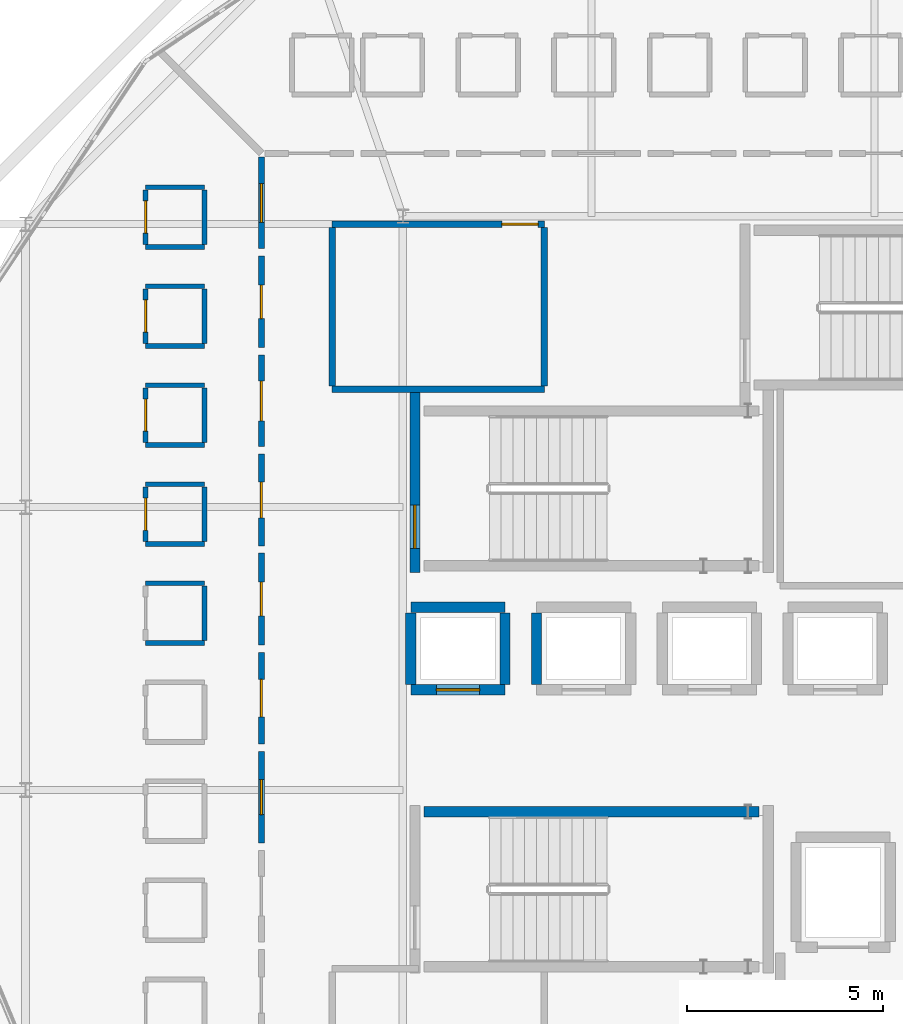
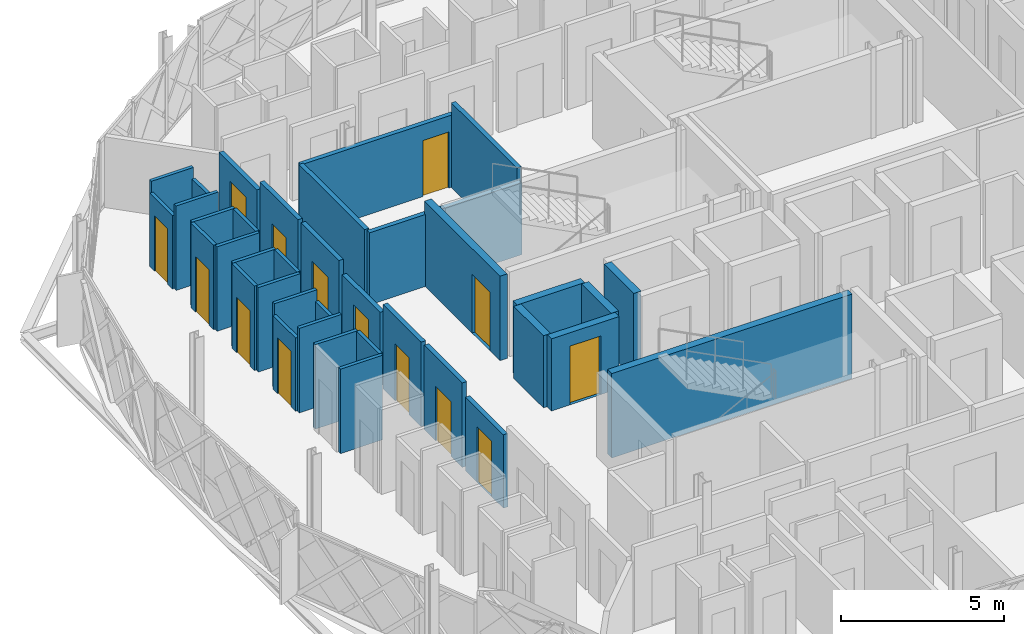
# One storey, part 15 of 24: 37 walls, 14 doors, 14 openings.
"""IFC4 building model written with IfcOpenShell, lengths in metres."""

from ifc_helpers import new_model, si_unit, direction, frame, frame_2d, origin, place, context, subcontext, project, spatial, rectangle, extrude, material, layer, layer_set, type_object, element, fill, save


model = new_model("IFC4")

# Units and contexts
model_context = context("Model", 3, precision=1e-05, world=origin(), true_north=direction((0.0, 1.0)))
body_context = subcontext(model_context, "Body", "Model", "MODEL_VIEW")
ifc_project = project(units=[si_unit("LENGTHUNIT", "METRE"), si_unit("AREAUNIT", "SQUARE_METRE"), si_unit("VOLUMEUNIT", "CUBIC_METRE"), si_unit("PLANEANGLEUNIT", "RADIAN"), si_unit("MASSUNIT", "GRAM", prefix="KILO")], contexts=[model_context])

# Site, building, storey
site_placement = place(None, origin())
site = spatial("IfcSite", under=ifc_project, at=site_placement, CompositionType="ELEMENT")
building_placement = place(site_placement, origin())
building = spatial("IfcBuilding", under=site, at=building_placement, Name="Zevrakil Square Congress Hotel", CompositionType="ELEMENT")
storey_placement = place(building_placement, frame((0.0, 0.0, 35.10009765625)))
storey = spatial("IfcBuildingStorey", under=building, at=storey_placement, Name="L10", CompositionType="ELEMENT", Elevation=35.10009765625)

# Wall
ifc_material_1 = material(Name="Gypsum Acoustic Stud Partition")
ifc_layer_1 = layer(ifc_material_1, 0.159912109375)
ifc_layer_set_1 = layer_set([ifc_layer_1], Name="Gypsum Acoustic Stud Partition")
wall_type_1 = type_object("IfcWallType", Name="WAL-CORR-160", PredefinedType="PARTITIONING", material=ifc_layer_set_1)
wall_1_placement = place(storey_placement, frame((135.0, 34.199951171875, 0.0), z_axis=(0.0, 0.0, 1.0), x_axis=(1.0, 0.0, 0.0)))
element("IfcWall", 1, at=wall_1_placement, inside=storey, type_object=wall_type_1, Name="L10 interior partition PW-L10-1568", PredefinedType="PARTITIONING", context=body_context, shape_type="SweptSolid", body=[
    extrude(rectangle(XDim=5.39990234375, YDim=0.159912109375, at=frame_2d((2.699951171875, 0.0))), origin(), (0.0, 0.0, 1.0), 2.699951171875),
])

# Wall, opening, door
wall_2_placement = place(storey_placement, frame((135.0, 38.39990234375, 0.0), z_axis=(0.0, 0.0, 1.0), x_axis=(1.0, 0.0, 0.0)))
wall_2 = element("IfcWall", 2, at=wall_2_placement, inside=storey, type_object=wall_type_1, Name="L10 interior partition PW-L10-1569", PredefinedType="PARTITIONING", context=body_context, shape_type="SweptSolid", body=[
    extrude(rectangle(XDim=5.39990234375, YDim=0.159912109375, at=frame_2d((2.699951171875, 0.0))), origin(), (0.0, 0.0, 1.0), 2.699951171875),
])
opening_1_placement = place(wall_2_placement, frame((4.320068359375, 0.0, 0.0)))
opening_1 = element("IfcOpeningElement", 3, at=opening_1_placement, cuts=wall_2, Name="Opening ID-07", PredefinedType="OPENING", context=body_context, shape_type="SweptSolid", body=[
    extrude(rectangle(XDim=0.919921875, YDim=2.10009765625, at=frame_2d((0.4599609375, 1.050048828125))), frame((0.0, 0.08984375, 0.0), z_axis=(0.0, -1.0, 0.0), x_axis=(1.0, 0.0, 0.0)), (0.0, 0.0, 1.0), 0.179931640625),
])
ifc_material_2 = material(Name="Accessible Restroom Door")
door_type_1 = type_object("IfcDoorType", Name="DOR-WC-092", OperationType="NOTDEFINED", PredefinedType="DOOR", material=ifc_material_2)
door_1_placement = place(opening_1_placement, origin())
door_1 = element("IfcDoor", 4, at=door_1_placement, inside=storey, type_object=door_type_1, Name="L10 interior door 611", OperationType="SINGLE_SWING_LEFT", OverallHeight=2.10009765625, OverallWidth=0.919921875, PredefinedType="DOOR", context=body_context, shape_type="SweptSolid", body=[
    extrude(rectangle(XDim=0.919921875, YDim=2.10009765625, at=frame_2d((0.4599609375, 1.050048828125))), frame((0.0, 0.02490234375, 0.0), z_axis=(0.0, -1.0, 0.0), x_axis=(1.0, 0.0, 0.0)), (0.0, 0.0, 1.0), 0.050048828125),
])
fill(opening_1, door_1)

# Walls
wall_3_placement = place(storey_placement, frame((135.0, 34.284912109375, 0.0), z_axis=(0.0, 0.0, 1.0), x_axis=(0.0, 1.0, 0.0)))
element("IfcWall", 5, at=wall_3_placement, inside=storey, type_object=wall_type_1, Name="L10 interior partition PW-L10-1570", PredefinedType="PARTITIONING", context=body_context, shape_type="SweptSolid", body=[
    extrude(rectangle(XDim=4.030029296875, YDim=0.159912109375, at=frame_2d((2.01513671875, 0.0))), origin(), (0.0, 0.0, 1.0), 2.75),
])
wall_4_placement = place(storey_placement, frame((140.39990234375, 34.284912109375, 0.0), z_axis=(0.0, 0.0, 1.0), x_axis=(0.0, 1.0, 0.0)))
element("IfcWall", 6, at=wall_4_placement, inside=storey, type_object=wall_type_1, Name="L10 interior partition PW-L10-1571", PredefinedType="PARTITIONING", context=body_context, shape_type="SweptSolid", body=[
    extrude(rectangle(XDim=4.030029296875, YDim=0.159912109375, at=frame_2d((2.01513671875, 0.0))), origin(), (0.0, 0.0, 1.0), 3.164794921875),
])

# Wall, opening, door
wall_5_placement = place(storey_placement, frame((133.199951171875, 37.77490234375, 0.0), z_axis=(0.0, 0.0, 1.0), x_axis=(0.0, 1.0, 0.0)))
wall_5 = element("IfcWall", 7, at=wall_5_placement, inside=storey, type_object=wall_type_1, Name="L10 interior partition PW-L10-1727", PredefinedType="PARTITIONING", context=body_context, shape_type="SweptSolid", body=[
    extrude(rectangle(XDim=2.330078125, YDim=0.159912109375, at=frame_2d((1.1650390625, 0.0))), origin(), (0.0, 0.0, 1.0), 2.75),
])
opening_2_placement = place(wall_5_placement, frame((0.673095703125, 0.0, 0.0)))
opening_2 = element("IfcOpeningElement", 8, at=opening_2_placement, cuts=wall_5, Name="Opening ID-H12", PredefinedType="OPENING", context=body_context, shape_type="SweptSolid", body=[
    extrude(rectangle(XDim=0.98388671875, YDim=2.070068359375, at=frame_2d((0.491943359375, 1.03515625))), frame((0.0, 0.08984375, 0.0), z_axis=(0.0, -1.0, 0.0), x_axis=(1.0, 0.0, 0.0)), (0.0, 0.0, 1.0), 0.179931640625),
])
ifc_material_3 = material(Name="Acoustic Timber Fire Door", Category="wood")
door_type_2 = type_object("IfcDoorType", Name="DOR-INT-H12", OperationType="NOTDEFINED", PredefinedType="DOOR", material=ifc_material_3)
door_2_placement = place(opening_2_placement, origin())
door_2 = element("IfcDoor", 9, at=door_2_placement, inside=storey, type_object=door_type_2, Name="L10 interior door 671", OperationType="SINGLE_SWING_LEFT", OverallHeight=2.070068359375, OverallWidth=0.98388671875, PredefinedType="DOOR", context=body_context, shape_type="SweptSolid", body=[
    extrude(rectangle(XDim=0.98388671875, YDim=2.070068359375, at=frame_2d((0.491943359375, 1.03515625))), frame((0.0, 0.02490234375, 0.0), z_axis=(0.0, -1.0, 0.0), x_axis=(1.0, 0.0, 0.0)), (0.0, 0.0, 1.0), 0.050048828125),
])
fill(opening_2, door_2)

wall_6_placement = place(storey_placement, frame((133.199951171875, 35.2548828125, 0.0), z_axis=(0.0, 0.0, 1.0), x_axis=(0.0, 1.0, 0.0)))
wall_6 = element("IfcWall", 10, at=wall_6_placement, inside=storey, type_object=wall_type_1, Name="L10 interior partition PW-L10-1732", PredefinedType="PARTITIONING", context=body_context, shape_type="SweptSolid", body=[
    extrude(rectangle(XDim=2.330078125, YDim=0.159912109375, at=frame_2d((1.1650390625, 0.0))), origin(), (0.0, 0.0, 1.0), 3.164794921875),
])
opening_3_placement = place(wall_6_placement, frame((0.737548828125, 0.0, 0.0)))
opening_3 = element("IfcOpeningElement", 11, at=opening_3_placement, cuts=wall_6, Name="Opening ID-G01", PredefinedType="OPENING", context=body_context, shape_type="SweptSolid", body=[
    extrude(rectangle(XDim=0.85498046875, YDim=2.050048828125, at=frame_2d((0.427490234375, 1.02490234375))), frame((0.0, 0.08984375, 0.0), z_axis=(0.0, -1.0, 0.0), x_axis=(1.0, 0.0, 0.0)), (0.0, 0.0, 1.0), 0.179931640625),
])
ifc_material_4 = material(Name="Acoustic Timber Fire Door", Category="wood")
door_type_3 = type_object("IfcDoorType", Name="DOR-INT-G01", OperationType="NOTDEFINED", PredefinedType="DOOR", material=ifc_material_4)
door_3_placement = place(opening_3_placement, origin())
door_3 = element("IfcDoor", 12, at=door_3_placement, inside=storey, type_object=door_type_3, Name="L10 interior door 673", OperationType="SINGLE_SWING_LEFT", OverallHeight=2.050048828125, OverallWidth=0.85498046875, PredefinedType="DOOR", context=body_context, shape_type="SweptSolid", body=[
    extrude(rectangle(XDim=0.85498046875, YDim=2.050048828125, at=frame_2d((0.427490234375, 1.02490234375))), frame((0.0, 0.02490234375, 0.0), z_axis=(0.0, -1.0, 0.0), x_axis=(1.0, 0.0, 0.0)), (0.0, 0.0, 1.0), 0.050048828125),
])
fill(opening_3, door_3)

wall_7_placement = place(storey_placement, frame((133.199951171875, 32.735107421875, 0.0), z_axis=(0.0, 0.0, 1.0), x_axis=(0.0, 1.0, 0.0)))
wall_7 = element("IfcWall", 13, at=wall_7_placement, inside=storey, type_object=wall_type_1, Name="L10 interior partition PW-L10-1737", PredefinedType="PARTITIONING", context=body_context, shape_type="SweptSolid", body=[
    extrude(rectangle(XDim=2.329833984375, YDim=0.159912109375, at=frame_2d((1.1650390625, 0.0))), origin(), (0.0, 0.0, 1.0), 3.164794921875),
])
opening_4_placement = place(wall_7_placement, frame((0.660888671875, 0.0, 0.0)))
opening_4 = element("IfcOpeningElement", 14, at=opening_4_placement, cuts=wall_7, Name="Opening ID-H14", PredefinedType="OPENING", context=body_context, shape_type="SweptSolid", body=[
    extrude(rectangle(XDim=1.008056640625, YDim=2.1298828125, at=frame_2d((0.50390625, 1.06494140625))), frame((0.0, 0.08984375, 0.0), z_axis=(0.0, -1.0, 0.0), x_axis=(1.0, 0.0, 0.0)), (0.0, 0.0, 1.0), 0.179931640625),
])
ifc_material_5 = material(Name="Acoustic Timber Fire Door", Category="wood")
door_type_4 = type_object("IfcDoorType", Name="DOR-INT-H14", OperationType="NOTDEFINED", PredefinedType="DOOR", material=ifc_material_5)
door_4_placement = place(opening_4_placement, origin())
door_4 = element("IfcDoor", 15, at=door_4_placement, inside=storey, type_object=door_type_4, Name="L10 interior door 675", OperationType="SINGLE_SWING_LEFT", OverallHeight=2.1298828125, OverallWidth=1.008056640625, PredefinedType="DOOR", context=body_context, shape_type="SweptSolid", body=[
    extrude(rectangle(XDim=1.008056640625, YDim=2.1298828125, at=frame_2d((0.50390625, 1.06494140625))), frame((0.0, 0.02490234375, 0.0), z_axis=(0.0, -1.0, 0.0), x_axis=(1.0, 0.0, 0.0)), (0.0, 0.0, 1.0), 0.050048828125),
])
fill(opening_4, door_4)

wall_8_placement = place(storey_placement, frame((133.199951171875, 30.215087890625, 0.0), z_axis=(0.0, 0.0, 1.0), x_axis=(0.0, 1.0, 0.0)))
wall_8 = element("IfcWall", 16, at=wall_8_placement, inside=storey, type_object=wall_type_1, Name="L10 interior partition PW-L10-1742", PredefinedType="PARTITIONING", context=body_context, shape_type="SweptSolid", body=[
    extrude(rectangle(XDim=2.329833984375, YDim=0.159912109375, at=frame_2d((1.1650390625, 0.0))), origin(), (0.0, 0.0, 1.0), 2.75),
])
opening_5_placement = place(wall_8_placement, frame((0.71240234375, 0.0, 0.0)))
opening_5 = element("IfcOpeningElement", 17, at=opening_5_placement, cuts=wall_8, Name="Opening ID-G03", PredefinedType="OPENING", context=body_context, shape_type="SweptSolid", body=[
    extrude(rectangle(XDim=0.905029296875, YDim=2.050048828125, at=frame_2d((0.45263671875, 1.02490234375))), frame((0.0, 0.08984375, 0.0), z_axis=(0.0, -1.0, 0.0), x_axis=(1.0, 0.0, 0.0)), (0.0, 0.0, 1.0), 0.179931640625),
])
ifc_material_6 = material(Name="Acoustic Timber Fire Door", Category="wood")
door_type_5 = type_object("IfcDoorType", Name="DOR-INT-G03", OperationType="NOTDEFINED", PredefinedType="DOOR", material=ifc_material_6)
door_5_placement = place(opening_5_placement, origin())
door_5 = element("IfcDoor", 18, at=door_5_placement, inside=storey, type_object=door_type_5, Name="L10 interior door 677", OperationType="SINGLE_SWING_LEFT", OverallHeight=2.050048828125, OverallWidth=0.905029296875, PredefinedType="DOOR", context=body_context, shape_type="SweptSolid", body=[
    extrude(rectangle(XDim=0.905029296875, YDim=2.050048828125, at=frame_2d((0.45263671875, 1.02490234375))), frame((0.0, 0.02490234375, 0.0), z_axis=(0.0, -1.0, 0.0), x_axis=(1.0, 0.0, 0.0)), (0.0, 0.0, 1.0), 0.050048828125),
])
fill(opening_5, door_5)

wall_9_placement = place(storey_placement, frame((133.199951171875, 27.695068359375, 0.0), z_axis=(0.0, 0.0, 1.0), x_axis=(0.0, 1.0, 0.0)))
wall_9 = element("IfcWall", 19, at=wall_9_placement, inside=storey, type_object=wall_type_1, Name="L10 interior partition PW-L10-1747", PredefinedType="PARTITIONING", context=body_context, shape_type="SweptSolid", body=[
    extrude(rectangle(XDim=2.329833984375, YDim=0.159912109375, at=frame_2d((1.1650390625, 0.0))), origin(), (0.0, 0.0, 1.0), 3.164794921875),
])
opening_6_placement = place(wall_9_placement, frame((0.73291015625, 0.0, 0.0)))
opening_6 = element("IfcOpeningElement", 20, at=opening_6_placement, cuts=wall_9, Name="Opening ID-H02", PredefinedType="OPENING", context=body_context, shape_type="SweptSolid", body=[
    extrude(rectangle(XDim=0.864013671875, YDim=2.1298828125, at=frame_2d((0.43212890625, 1.06494140625))), frame((0.0, 0.08984375, 0.0), z_axis=(0.0, -1.0, 0.0), x_axis=(1.0, 0.0, 0.0)), (0.0, 0.0, 1.0), 0.179931640625),
])
ifc_material_7 = material(Name="Acoustic Timber Fire Door", Category="wood")
door_type_6 = type_object("IfcDoorType", Name="DOR-INT-H02", OperationType="NOTDEFINED", PredefinedType="DOOR", material=ifc_material_7)
door_6_placement = place(opening_6_placement, origin())
door_6 = element("IfcDoor", 21, at=door_6_placement, inside=storey, type_object=door_type_6, Name="L10 interior door 679", OperationType="SINGLE_SWING_LEFT", OverallHeight=2.1298828125, OverallWidth=0.864013671875, PredefinedType="DOOR", context=body_context, shape_type="SweptSolid", body=[
    extrude(rectangle(XDim=0.864013671875, YDim=2.1298828125, at=frame_2d((0.43212890625, 1.06494140625))), frame((0.0, 0.02490234375, 0.0), z_axis=(0.0, -1.0, 0.0), x_axis=(1.0, 0.0, 0.0)), (0.0, 0.0, 1.0), 0.050048828125),
])
fill(opening_6, door_6)

wall_10_placement = place(storey_placement, frame((133.199951171875, 25.175048828125, 0.0), z_axis=(0.0, 0.0, 1.0), x_axis=(0.0, 1.0, 0.0)))
wall_10 = element("IfcWall", 22, at=wall_10_placement, inside=storey, type_object=wall_type_1, Name="L10 interior partition PW-L10-1752", PredefinedType="PARTITIONING", context=body_context, shape_type="SweptSolid", body=[
    extrude(rectangle(XDim=2.329833984375, YDim=0.159912109375, at=frame_2d((1.1650390625, 0.0))), origin(), (0.0, 0.0, 1.0), 3.164794921875),
])
opening_7_placement = place(wall_10_placement, frame((0.6875, 0.0, 0.0)))
opening_7 = element("IfcOpeningElement", 23, at=opening_7_placement, cuts=wall_10, Name="Opening ID-G05", PredefinedType="OPENING", context=body_context, shape_type="SweptSolid", body=[
    extrude(rectangle(XDim=0.955078125, YDim=2.050048828125, at=frame_2d((0.4775390625, 1.02490234375))), frame((0.0, 0.08984375, 0.0), z_axis=(0.0, -1.0, 0.0), x_axis=(1.0, 0.0, 0.0)), (0.0, 0.0, 1.0), 0.179931640625),
])
ifc_material_8 = material(Name="Acoustic Timber Fire Door", Category="wood")
door_type_7 = type_object("IfcDoorType", Name="DOR-INT-G05", OperationType="NOTDEFINED", PredefinedType="DOOR", material=ifc_material_8)
door_7_placement = place(opening_7_placement, origin())
door_7 = element("IfcDoor", 24, at=door_7_placement, inside=storey, type_object=door_type_7, Name="L10 interior door 681", OperationType="SINGLE_SWING_LEFT", OverallHeight=2.050048828125, OverallWidth=0.955078125, PredefinedType="DOOR", context=body_context, shape_type="SweptSolid", body=[
    extrude(rectangle(XDim=0.955078125, YDim=2.050048828125, at=frame_2d((0.4775390625, 1.02490234375))), frame((0.0, 0.02490234375, 0.0), z_axis=(0.0, -1.0, 0.0), x_axis=(1.0, 0.0, 0.0)), (0.0, 0.0, 1.0), 0.050048828125),
])
fill(opening_7, door_7)

wall_11_placement = place(storey_placement, frame((133.199951171875, 22.655029296875, 0.0), z_axis=(0.0, 0.0, 1.0), x_axis=(0.0, 1.0, 0.0)))
wall_11 = element("IfcWall", 25, at=wall_11_placement, inside=storey, type_object=wall_type_1, Name="L10 interior partition PW-L10-1757", PredefinedType="PARTITIONING", context=body_context, shape_type="SweptSolid", body=[
    extrude(rectangle(XDim=2.330078125, YDim=0.159912109375, at=frame_2d((1.1650390625, 0.0))), origin(), (0.0, 0.0, 1.0), 2.75),
])
opening_8_placement = place(wall_11_placement, frame((0.720947265625, 0.0, 0.0)))
opening_8 = element("IfcOpeningElement", 26, at=opening_8_placement, cuts=wall_11, Name="Opening ID-H04", PredefinedType="OPENING", context=body_context, shape_type="SweptSolid", body=[
    extrude(rectangle(XDim=0.887939453125, YDim=2.070068359375, at=frame_2d((0.44384765625, 1.03515625))), frame((0.0, 0.08984375, 0.0), z_axis=(0.0, -1.0, 0.0), x_axis=(1.0, 0.0, 0.0)), (0.0, 0.0, 1.0), 0.179931640625),
])
ifc_material_9 = material(Name="Acoustic Timber Fire Door", Category="wood")
door_type_8 = type_object("IfcDoorType", Name="DOR-INT-H04", OperationType="NOTDEFINED", PredefinedType="DOOR", material=ifc_material_9)
door_8_placement = place(opening_8_placement, origin())
door_8 = element("IfcDoor", 27, at=door_8_placement, inside=storey, type_object=door_type_8, Name="L10 interior door 683", OperationType="SINGLE_SWING_LEFT", OverallHeight=2.070068359375, OverallWidth=0.887939453125, PredefinedType="DOOR", context=body_context, shape_type="SweptSolid", body=[
    extrude(rectangle(XDim=0.887939453125, YDim=2.070068359375, at=frame_2d((0.44384765625, 1.03515625))), frame((0.0, 0.02490234375, 0.0), z_axis=(0.0, -1.0, 0.0), x_axis=(1.0, 0.0, 0.0)), (0.0, 0.0, 1.0), 0.050048828125),
])
fill(opening_8, door_8)

# Walls
ifc_material_10 = material(Name="Moisture-Resistant Gypsum Partition")
ifc_layer_2 = layer(ifc_material_10, 0.1201171875)
ifc_layer_set_2 = layer_set([ifc_layer_2], Name="Moisture-Resistant Gypsum Partition")
wall_type_2 = type_object("IfcWallType", Name="WAL-ENS-120", PredefinedType="PARTITIONING", material=ifc_layer_set_2)
for number, where, z_axis, x_axis, name in (
    (28, (130.25, 37.820068359375, 0.0), (0.0, 0.0, 1.0), (1.0, 0.0, 0.0), "L10 interior partition PW-L10-1728"),
    (29, (130.25, 39.340087890625, 0.0), (0.0, 0.0, 1.0), (1.0, 0.0, 0.0), "L10 interior partition PW-L10-1729"),
):
    element("IfcWall", number, at=place(storey_placement, frame(where, z_axis=z_axis, x_axis=x_axis)), inside=storey, type_object=wall_type_2, Name=name, PredefinedType="PARTITIONING", context=body_context, shape_type="SweptSolid", body=[
        extrude(rectangle(XDim=1.5, YDim=0.1201171875, at=frame_2d((0.75, 0.0))), origin(), (0.0, 0.0, 1.0), 3.164794921875),
    ])

# Wall, opening, door
wall_12_placement = place(storey_placement, frame((130.25, 37.885009765625, 0.0), z_axis=(0.0, 0.0, 1.0), x_axis=(0.0, 1.0, 0.0)))
wall_12 = element("IfcWall", 30, at=wall_12_placement, inside=storey, type_object=wall_type_2, Name="L10 interior partition PW-L10-1730", PredefinedType="PARTITIONING", context=body_context, shape_type="SweptSolid", body=[
    extrude(rectangle(XDim=1.389892578125, YDim=0.1201171875, at=frame_2d((0.69482421875, 0.0))), origin(), (0.0, 0.0, 1.0), 2.75),
])
opening_9_placement = place(wall_12_placement, frame((0.284912109375, 0.0, 0.0)))
opening_9 = element("IfcOpeningElement", 31, at=opening_9_placement, cuts=wall_12, Name="Opening ID-11", PredefinedType="OPENING", context=body_context, shape_type="SweptSolid", body=[
    extrude(rectangle(XDim=0.820068359375, YDim=2.080078125, at=frame_2d((0.41015625, 1.0400390625))), frame((0.0, 0.070068359375, 0.0), z_axis=(0.0, -1.0, 0.0), x_axis=(1.0, 0.0, 0.0)), (0.0, 0.0, 1.0), 0.14013671875),
])
ifc_material_11 = material(Name="Acoustic Timber Door", Category="wood")
door_type_9 = type_object("IfcDoorType", Name="DOR-INT-V01", OperationType="NOTDEFINED", PredefinedType="DOOR", material=ifc_material_11)
door_9_placement = place(opening_9_placement, origin())
door_9 = element("IfcDoor", 32, at=door_9_placement, inside=storey, type_object=door_type_9, Name="L10 interior door 672", OperationType="SINGLE_SWING_RIGHT", OverallHeight=2.080078125, OverallWidth=0.820068359375, PredefinedType="DOOR", context=body_context, shape_type="SweptSolid", body=[
    extrude(rectangle(XDim=0.820068359375, YDim=2.080078125, at=frame_2d((0.41015625, 1.0400390625))), frame((0.0, 0.02490234375, 0.0), z_axis=(0.0, -1.0, 0.0), x_axis=(1.0, 0.0, 0.0)), (0.0, 0.0, 1.0), 0.050048828125),
])
fill(opening_9, door_9)

# Walls
wall_13_placement = place(storey_placement, frame((131.75, 37.885009765625, 0.0), z_axis=(0.0, 0.0, 1.0), x_axis=(0.0, 1.0, 0.0)))
element("IfcWall", 33, at=wall_13_placement, inside=storey, type_object=wall_type_2, Name="L10 interior partition PW-L10-1731", PredefinedType="PARTITIONING", context=body_context, shape_type="SweptSolid", body=[
    extrude(rectangle(XDim=1.389892578125, YDim=0.1201171875, at=frame_2d((0.69482421875, 0.0))), origin(), (0.0, 0.0, 1.0), 2.75),
])
for number, where, z_axis, x_axis, name in (
    (34, (130.25, 35.300048828125, 0.0), (0.0, 0.0, 1.0), (1.0, 0.0, 0.0), "L10 interior partition PW-L10-1733"),
    (35, (130.25, 36.820068359375, 0.0), (0.0, 0.0, 1.0), (1.0, 0.0, 0.0), "L10 interior partition PW-L10-1734"),
):
    element("IfcWall", number, at=place(storey_placement, frame(where, z_axis=z_axis, x_axis=x_axis)), inside=storey, type_object=wall_type_2, Name=name, PredefinedType="PARTITIONING", context=body_context, shape_type="SweptSolid", body=[
        extrude(rectangle(XDim=1.5, YDim=0.1201171875, at=frame_2d((0.75, 0.0))), origin(), (0.0, 0.0, 1.0), 3.164794921875),
    ])

# Wall, opening, door
wall_14_placement = place(storey_placement, frame((130.25, 35.364990234375, 0.0), z_axis=(0.0, 0.0, 1.0), x_axis=(0.0, 1.0, 0.0)))
wall_14 = element("IfcWall", 36, at=wall_14_placement, inside=storey, type_object=wall_type_2, Name="L10 interior partition PW-L10-1735", PredefinedType="PARTITIONING", context=body_context, shape_type="SweptSolid", body=[
    extrude(rectangle(XDim=1.389892578125, YDim=0.1201171875, at=frame_2d((0.69482421875, 0.0))), origin(), (0.0, 0.0, 1.0), 3.164794921875),
])
opening_10_placement = place(wall_14_placement, frame((0.284912109375, 0.0, 0.0)))
opening_10 = element("IfcOpeningElement", 37, at=opening_10_placement, cuts=wall_14, Name="Opening ID-11", PredefinedType="OPENING", context=body_context, shape_type="SweptSolid", body=[
    extrude(rectangle(XDim=0.820068359375, YDim=2.080078125, at=frame_2d((0.41015625, 1.0400390625))), frame((0.0, 0.070068359375, 0.0), z_axis=(0.0, -1.0, 0.0), x_axis=(1.0, 0.0, 0.0)), (0.0, 0.0, 1.0), 0.14013671875),
])
door_10_placement = place(opening_10_placement, origin())
door_10 = element("IfcDoor", 38, at=door_10_placement, inside=storey, type_object=door_type_9, Name="L10 interior door 674", OperationType="SINGLE_SWING_RIGHT", OverallHeight=2.080078125, OverallWidth=0.820068359375, PredefinedType="DOOR", context=body_context, shape_type="SweptSolid", body=[
    extrude(rectangle(XDim=0.820068359375, YDim=2.080078125, at=frame_2d((0.41015625, 1.0400390625))), frame((0.0, 0.02490234375, 0.0), z_axis=(0.0, -1.0, 0.0), x_axis=(1.0, 0.0, 0.0)), (0.0, 0.0, 1.0), 0.050048828125),
])
fill(opening_10, door_10)

# Walls
wall_15_placement = place(storey_placement, frame((131.75, 35.364990234375, 0.0), z_axis=(0.0, 0.0, 1.0), x_axis=(0.0, 1.0, 0.0)))
element("IfcWall", 39, at=wall_15_placement, inside=storey, type_object=wall_type_2, Name="L10 interior partition PW-L10-1736", PredefinedType="PARTITIONING", context=body_context, shape_type="SweptSolid", body=[
    extrude(rectangle(XDim=1.389892578125, YDim=0.1201171875, at=frame_2d((0.69482421875, 0.0))), origin(), (0.0, 0.0, 1.0), 3.164794921875),
])
for number, where, z_axis, x_axis, name in (
    (40, (130.25, 32.780029296875, 0.0), (0.0, 0.0, 1.0), (1.0, 0.0, 0.0), "L10 interior partition PW-L10-1738"),
    (41, (130.25, 34.300048828125, 0.0), (0.0, 0.0, 1.0), (1.0, 0.0, 0.0), "L10 interior partition PW-L10-1739"),
):
    element("IfcWall", number, at=place(storey_placement, frame(where, z_axis=z_axis, x_axis=x_axis)), inside=storey, type_object=wall_type_2, Name=name, PredefinedType="PARTITIONING", context=body_context, shape_type="SweptSolid", body=[
        extrude(rectangle(XDim=1.5, YDim=0.1201171875, at=frame_2d((0.75, 0.0))), origin(), (0.0, 0.0, 1.0), 3.164794921875),
    ])

# Wall, opening, door
wall_16_placement = place(storey_placement, frame((130.25, 32.844970703125, 0.0), z_axis=(0.0, 0.0, 1.0), x_axis=(0.0, 1.0, 0.0)))
wall_16 = element("IfcWall", 42, at=wall_16_placement, inside=storey, type_object=wall_type_2, Name="L10 interior partition PW-L10-1740", PredefinedType="PARTITIONING", context=body_context, shape_type="SweptSolid", body=[
    extrude(rectangle(XDim=1.39013671875, YDim=0.1201171875, at=frame_2d((0.695068359375, 0.0))), origin(), (0.0, 0.0, 1.0), 3.164794921875),
])
opening_11_placement = place(wall_16_placement, frame((0.284912109375, 0.0, 0.0)))
opening_11 = element("IfcOpeningElement", 43, at=opening_11_placement, cuts=wall_16, Name="Opening ID-11", PredefinedType="OPENING", context=body_context, shape_type="SweptSolid", body=[
    extrude(rectangle(XDim=0.820068359375, YDim=2.080078125, at=frame_2d((0.41015625, 1.0400390625))), frame((0.0, 0.070068359375, 0.0), z_axis=(0.0, -1.0, 0.0), x_axis=(1.0, 0.0, 0.0)), (0.0, 0.0, 1.0), 0.14013671875),
])
door_11_placement = place(opening_11_placement, origin())
door_11 = element("IfcDoor", 44, at=door_11_placement, inside=storey, type_object=door_type_9, Name="L10 interior door 676", OperationType="SINGLE_SWING_RIGHT", OverallHeight=2.080078125, OverallWidth=0.820068359375, PredefinedType="DOOR", context=body_context, shape_type="SweptSolid", body=[
    extrude(rectangle(XDim=0.820068359375, YDim=2.080078125, at=frame_2d((0.41015625, 1.0400390625))), frame((0.0, 0.02490234375, 0.0), z_axis=(0.0, -1.0, 0.0), x_axis=(1.0, 0.0, 0.0)), (0.0, 0.0, 1.0), 0.050048828125),
])
fill(opening_11, door_11)

# Walls
wall_17_placement = place(storey_placement, frame((131.75, 32.844970703125, 0.0), z_axis=(0.0, 0.0, 1.0), x_axis=(0.0, 1.0, 0.0)))
element("IfcWall", 45, at=wall_17_placement, inside=storey, type_object=wall_type_2, Name="L10 interior partition PW-L10-1741", PredefinedType="PARTITIONING", context=body_context, shape_type="SweptSolid", body=[
    extrude(rectangle(XDim=1.39013671875, YDim=0.1201171875, at=frame_2d((0.695068359375, 0.0))), origin(), (0.0, 0.0, 1.0), 3.164794921875),
])
for number, where, z_axis, x_axis, name in (
    (46, (130.25, 30.260009765625, 0.0), (0.0, 0.0, 1.0), (1.0, 0.0, 0.0), "L10 interior partition PW-L10-1743"),
    (47, (130.25, 31.780029296875, 0.0), (0.0, 0.0, 1.0), (1.0, 0.0, 0.0), "L10 interior partition PW-L10-1744"),
):
    element("IfcWall", number, at=place(storey_placement, frame(where, z_axis=z_axis, x_axis=x_axis)), inside=storey, type_object=wall_type_2, Name=name, PredefinedType="PARTITIONING", context=body_context, shape_type="SweptSolid", body=[
        extrude(rectangle(XDim=1.5, YDim=0.1201171875, at=frame_2d((0.75, 0.0))), origin(), (0.0, 0.0, 1.0), 3.164794921875),
    ])

# Wall, opening, door
wall_18_placement = place(storey_placement, frame((130.25, 30.324951171875, 0.0), z_axis=(0.0, 0.0, 1.0), x_axis=(0.0, 1.0, 0.0)))
wall_18 = element("IfcWall", 48, at=wall_18_placement, inside=storey, type_object=wall_type_2, Name="L10 interior partition PW-L10-1745", PredefinedType="PARTITIONING", context=body_context, shape_type="SweptSolid", body=[
    extrude(rectangle(XDim=1.39013671875, YDim=0.1201171875, at=frame_2d((0.695068359375, 0.0))), origin(), (0.0, 0.0, 1.0), 2.75),
])
opening_12_placement = place(wall_18_placement, frame((0.284912109375, 0.0, 0.0)))
opening_12 = element("IfcOpeningElement", 49, at=opening_12_placement, cuts=wall_18, Name="Opening ID-11", PredefinedType="OPENING", context=body_context, shape_type="SweptSolid", body=[
    extrude(rectangle(XDim=0.820068359375, YDim=2.080078125, at=frame_2d((0.41015625, 1.0400390625))), frame((0.0, 0.070068359375, 0.0), z_axis=(0.0, -1.0, 0.0), x_axis=(1.0, 0.0, 0.0)), (0.0, 0.0, 1.0), 0.14013671875),
])
door_12_placement = place(opening_12_placement, origin())
door_12 = element("IfcDoor", 50, at=door_12_placement, inside=storey, type_object=door_type_9, Name="L10 interior door 678", OperationType="SINGLE_SWING_RIGHT", OverallHeight=2.080078125, OverallWidth=0.820068359375, PredefinedType="DOOR", context=body_context, shape_type="SweptSolid", body=[
    extrude(rectangle(XDim=0.820068359375, YDim=2.080078125, at=frame_2d((0.41015625, 1.0400390625))), frame((0.0, 0.02490234375, 0.0), z_axis=(0.0, -1.0, 0.0), x_axis=(1.0, 0.0, 0.0)), (0.0, 0.0, 1.0), 0.050048828125),
])
fill(opening_12, door_12)

# Walls
wall_19_placement = place(storey_placement, frame((131.75, 30.324951171875, 0.0), z_axis=(0.0, 0.0, 1.0), x_axis=(0.0, 1.0, 0.0)))
element("IfcWall", 51, at=wall_19_placement, inside=storey, type_object=wall_type_2, Name="L10 interior partition PW-L10-1746", PredefinedType="PARTITIONING", context=body_context, shape_type="SweptSolid", body=[
    extrude(rectangle(XDim=1.39013671875, YDim=0.1201171875, at=frame_2d((0.695068359375, 0.0))), origin(), (0.0, 0.0, 1.0), 2.75),
])
for number, where, z_axis, x_axis, name in (
    (52, (130.25, 27.739990234375, 0.0), (0.0, 0.0, 1.0), (1.0, 0.0, 0.0), "L10 interior partition PW-L10-1748"),
    (53, (130.25, 29.260009765625, 0.0), (0.0, 0.0, 1.0), (1.0, 0.0, 0.0), "L10 interior partition PW-L10-1749"),
):
    element("IfcWall", number, at=place(storey_placement, frame(where, z_axis=z_axis, x_axis=x_axis)), inside=storey, type_object=wall_type_2, Name=name, PredefinedType="PARTITIONING", context=body_context, shape_type="SweptSolid", body=[
        extrude(rectangle(XDim=1.5, YDim=0.1201171875, at=frame_2d((0.75, 0.0))), origin(), (0.0, 0.0, 1.0), 3.164794921875),
    ])
wall_20_placement = place(storey_placement, frame((131.75, 27.804931640625, 0.0), z_axis=(0.0, 0.0, 1.0), x_axis=(0.0, 1.0, 0.0)))
element("IfcWall", 54, at=wall_20_placement, inside=storey, type_object=wall_type_2, Name="L10 interior partition PW-L10-1751", PredefinedType="PARTITIONING", context=body_context, shape_type="SweptSolid", body=[
    extrude(rectangle(XDim=1.39013671875, YDim=0.1201171875, at=frame_2d((0.695068359375, 0.0))), origin(), (0.0, 0.0, 1.0), 3.164794921875),
])
ifc_material_12 = material(Name="Concrete C40/50", Category="concrete")
ifc_layer_3 = layer(ifc_material_12, 0.260009765625)
ifc_layer_set_3 = layer_set([ifc_layer_3], Name="Concrete C40/50")
wall_type_3 = type_object("IfcWallType", Name="WAL-SHAFT-260", PredefinedType="SHEAR", material=ifc_layer_set_3)
wall_21_placement = place(storey_placement, frame((137.340087890625, 23.445068359375, 0.0), z_axis=(0.0, 0.0, 1.0), x_axis=(1.0, 0.0, 0.0)))
element("IfcWall", 55, at=wall_21_placement, inside=storey, type_object=wall_type_3, Name="L10 ST01 stair shaft N wall", PredefinedType="SHEAR", context=body_context, shape_type="SweptSolid", body=[
    extrude(rectangle(XDim=8.52001953125, YDim=0.260009765625, at=frame_2d((4.260009765625, 0.0))), origin(), (0.0, 0.0, 1.0), 3.164794921875),
])

# Wall, opening, door
wall_22_placement = place(storey_placement, frame((137.10498046875, 29.5400390625, 0.0), z_axis=(0.0, 0.0, 1.0), x_axis=(0.0, 1.0, 0.0)))
wall_22 = element("IfcWall", 56, at=wall_22_placement, inside=storey, type_object=wall_type_3, Name="L10 ST02 stair shaft W wall", PredefinedType="SHEAR", context=body_context, shape_type="SweptSolid", body=[
    extrude(rectangle(XDim=4.635009765625, YDim=0.260009765625, at=frame_2d((2.3173828125, 0.0))), origin(), (0.0, 0.0, 1.0), 3.164794921875),
])
opening_13_placement = place(wall_22_placement, frame((0.610107421875, 0.0, 0.0)))
opening_13 = element("IfcOpeningElement", 57, at=opening_13_placement, cuts=wall_22, Name="Opening SD-ST02", PredefinedType="OPENING", context=body_context, shape_type="SweptSolid", body=[
    extrude(rectangle(XDim=1.10009765625, YDim=2.199951171875, at=frame_2d((0.550048828125, 1.10009765625))), frame((0.0, 0.14013671875, 0.0), z_axis=(0.0, -1.0, 0.0), x_axis=(1.0, 0.0, 0.0)), (0.0, 0.0, 1.0), 0.280029296875),
])
ifc_material_13 = material(Name="Steel S355 Fire-Rated Door", Category="steel")
door_type_10 = type_object("IfcDoorType", Name="DOR-STAIR-FD90-110", OperationType="NOTDEFINED", PredefinedType="DOOR", material=ifc_material_13)
door_13_placement = place(opening_13_placement, origin())
door_13 = element("IfcDoor", 58, at=door_13_placement, inside=storey, type_object=door_type_10, Name="L10 ST02 protected stair fire door", OperationType="SINGLE_SWING_LEFT", OverallHeight=2.199951171875, OverallWidth=1.10009765625, PredefinedType="DOOR", context=body_context, shape_type="SweptSolid", body=[
    extrude(rectangle(XDim=1.10009765625, YDim=2.199951171875, at=frame_2d((0.550048828125, 1.10009765625))), frame((0.0, 0.02490234375, 0.0), z_axis=(0.0, -1.0, 0.0), x_axis=(1.0, 0.0, 0.0)), (0.0, 0.0, 1.0), 0.050048828125),
])
fill(opening_13, door_13)

wall_23_placement = place(storey_placement, frame((137.0, 26.550048828125, 0.0), z_axis=(0.0, 0.0, 1.0), x_axis=(1.0, 0.0, 0.0)))
wall_23 = element("IfcWall", 59, at=wall_23_placement, inside=storey, type_object=wall_type_3, Name="L10 HL1 lift shaft wall", PredefinedType="SHEAR", context=body_context, shape_type="SweptSolid", body=[
    extrude(rectangle(XDim=2.39990234375, YDim=0.260009765625, at=frame_2d((1.199951171875, 0.0))), origin(), (0.0, 0.0, 1.0), 2.699951171875),
])
opening_14_placement = place(wall_23_placement, frame((0.64990234375, 0.0, 0.0)))
opening_14 = element("IfcOpeningElement", 60, at=opening_14_placement, cuts=wall_23, Name="Opening LD-HL1", PredefinedType="OPENING", context=body_context, shape_type="SweptSolid", body=[
    extrude(rectangle(XDim=1.10009765625, YDim=2.199951171875, at=frame_2d((0.550048828125, 1.10009765625))), frame((0.0, 0.14013671875, 0.0), z_axis=(0.0, -1.0, 0.0), x_axis=(1.0, 0.0, 0.0)), (0.0, 0.0, 1.0), 0.280029296875),
])
ifc_material_14 = material(Name="Stainless Steel Sliding Lift Landing Door", Category="steel")
door_type_11 = type_object("IfcDoorType", Name="DOR-LIFT-LD110", OperationType="NOTDEFINED", PredefinedType="DOOR", material=ifc_material_14)
door_14_placement = place(opening_14_placement, origin())
door_14 = element("IfcDoor", 61, at=door_14_placement, inside=storey, type_object=door_type_11, Name="L10 HL1 sliding lift landing door", OperationType="SLIDING_TO_LEFT", OverallHeight=2.199951171875, OverallWidth=1.10009765625, PredefinedType="DOOR", context=body_context, shape_type="SweptSolid", body=[
    extrude(rectangle(XDim=1.10009765625, YDim=2.199951171875, at=frame_2d((0.550048828125, 1.10009765625))), frame((0.0, 0.02490234375, 0.0), z_axis=(0.0, -1.0, 0.0), x_axis=(1.0, 0.0, 0.0)), (0.0, 0.0, 1.0), 0.050048828125),
])
fill(opening_14, door_14)

# Walls
wall_24_placement = place(storey_placement, frame((137.0, 28.64990234375, 0.0), z_axis=(0.0, 0.0, 1.0), x_axis=(1.0, 0.0, 0.0)))
element("IfcWall", 62, at=wall_24_placement, inside=storey, type_object=wall_type_3, Name="L10 HL1 lift shaft wall", PredefinedType="SHEAR", context=body_context, shape_type="SweptSolid", body=[
    extrude(rectangle(XDim=2.39990234375, YDim=0.260009765625, at=frame_2d((1.199951171875, 0.0))), origin(), (0.0, 0.0, 1.0), 2.699951171875),
])
for number, where, z_axis, x_axis, name in (
    (63, (137.0, 26.68994140625, 0.0), (0.0, 0.0, 1.0), (0.0, 1.0, 0.0), "L10 HL1 lift shaft wall"),
    (64, (139.39990234375, 26.68994140625, 0.0), (0.0, 0.0, 1.0), (0.0, 1.0, 0.0), "L10 HL1 lift shaft wall"),
):
    element("IfcWall", number, at=place(storey_placement, frame(where, z_axis=z_axis, x_axis=x_axis)), inside=storey, type_object=wall_type_3, Name=name, PredefinedType="SHEAR", context=body_context, shape_type="SweptSolid", body=[
        extrude(rectangle(XDim=1.820068359375, YDim=0.260009765625, at=frame_2d((0.91015625, 0.0))), origin(), (0.0, 0.0, 1.0), 2.699951171875),
    ])
wall_25_placement = place(storey_placement, frame((140.199951171875, 26.68994140625, 0.0), z_axis=(0.0, 0.0, 1.0), x_axis=(0.0, 1.0, 0.0)))
element("IfcWall", 65, at=wall_25_placement, inside=storey, type_object=wall_type_3, Name="L10 HL2 lift shaft wall", PredefinedType="SHEAR", context=body_context, shape_type="SweptSolid", body=[
    extrude(rectangle(XDim=1.820068359375, YDim=0.260009765625, at=frame_2d((0.91015625, 0.0))), origin(), (0.0, 0.0, 1.0), 3.164794921875),
])

save(model, "model.ifc")
